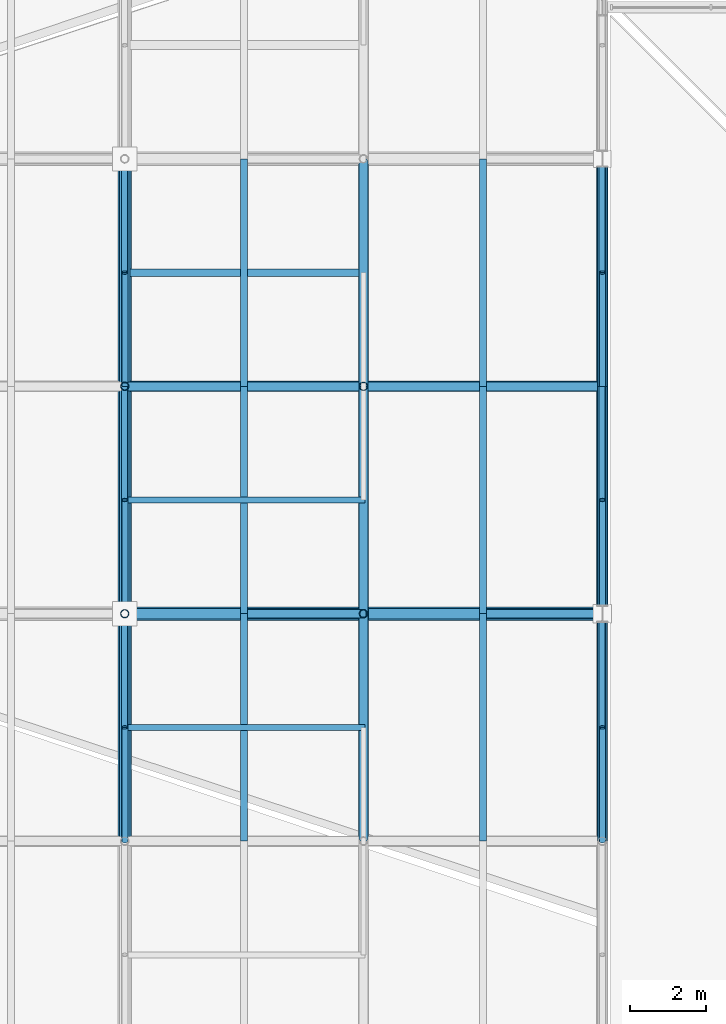
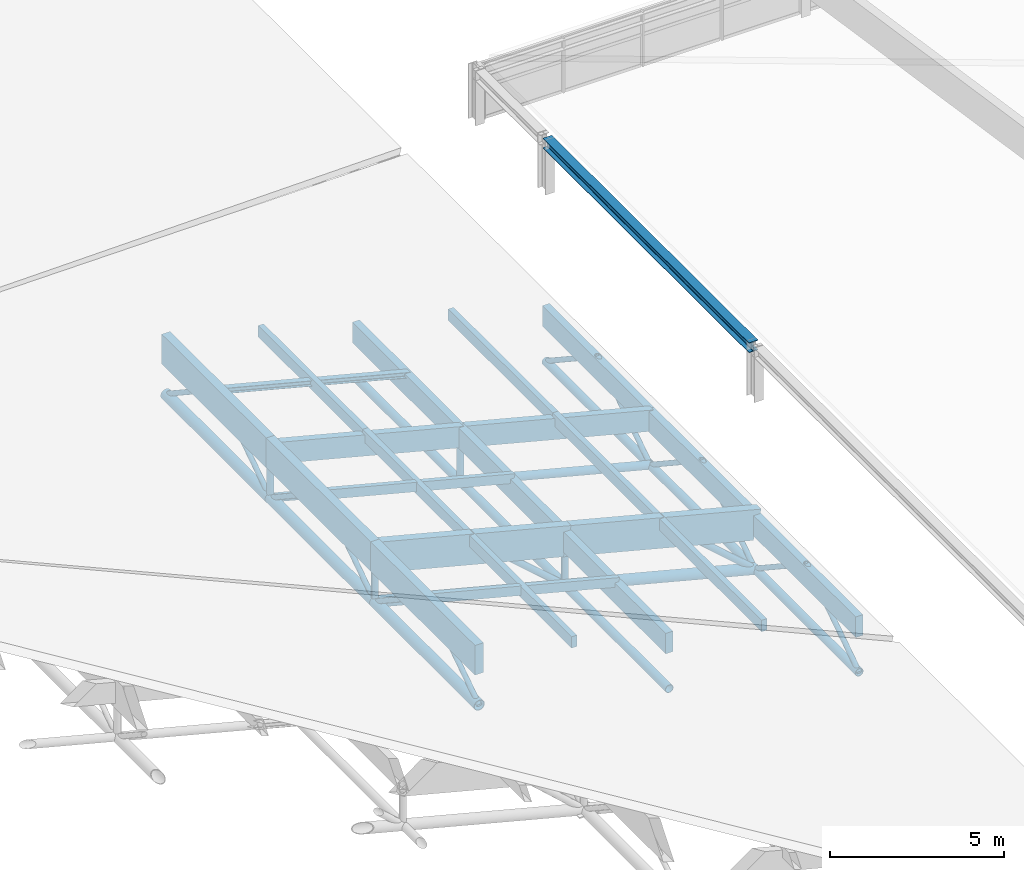
# One storey, part 44 of 80: 53 members, 1 beam.
"""IFC4 building model written with IfcOpenShell, lengths in metres."""

import ifcopenshell
import ifcopenshell.guid

model = None  # the IFC model being written
_history = None  # IfcOwnerHistory: only IFC2X3 demands one
_inside = {}  # id of a spatial element -> (the spatial element, [elements in it])
_under = {}  # id of a project, library or spatial element -> (it, [spatial elements below it])
_declared = {}  # id of a project -> (the project, [libraries it declares])
_typed = {}  # id of a type object -> (the type object, [elements of that type])
_made_of = {}  # id of a material, layer set ... -> (it, [elements and type objects made of it])


def new_model(schema):
    """Start an empty IFC model of exactly this schema.

    Asked for "IFC4X3", IfcOpenShell would pick the latest addendum, in which some entities
    have other attributes; the version numbers below select the first issue.
    IFC2X3 requires an IfcOwnerHistory on every rooted entity: one is made here for all.
    """
    global model, _history
    if schema == "IFC4X3":
        model = ifcopenshell.file(schema_version=(4, 3, 0, 0))
    else:
        model = ifcopenshell.file(schema=schema)
    _inside.clear()
    _under.clear()
    _declared.clear()
    _typed.clear()
    _made_of.clear()
    _history = None
    if model.schema == "IFC2X3":
        org = make("IfcOrganization", Name="unknown")
        user = make(
            "IfcPersonAndOrganization",
            ThePerson=make("IfcPerson", FamilyName="unknown"),
            TheOrganization=org,
        )
        app = make(
            "IfcApplication",
            ApplicationDeveloper=org,
            Version="unknown",
            ApplicationFullName="unknown",
            ApplicationIdentifier="unknown",
        )
        _history = make(
            "IfcOwnerHistory",
            OwningUser=user,
            OwningApplication=app,
            ChangeAction="ADDED",
            CreationDate=0,
        )
    return model


def make(cls, **values):
    """One entity of the class cls with the attributes given. An attribute that is None is left unset."""
    return model.create_entity(
        cls, **{name: value for name, value in values.items() if value is not None}
    )


def rooted(cls, **values):
    """An entity with a GlobalId (a new one), such as an element, a storey or a relation."""
    return make(cls, GlobalId=ifcopenshell.guid.new(), OwnerHistory=_history, **values)


def si_unit(unit_type, name, prefix=None):
    """IfcSIUnit, for example si_unit("LENGTHUNIT", "METRE", prefix="MILLI")."""
    return make("IfcSIUnit", UnitType=unit_type, Prefix=prefix, Name=name)


def assignment(units):
    """IfcUnitAssignment: the units of a project."""
    return None if units is None else make("IfcUnitAssignment", Units=units)


def point(xyz):
    """IfcCartesianPoint."""
    return None if xyz is None else make("IfcCartesianPoint", Coordinates=xyz)


def direction(xyz):
    """IfcDirection."""
    return None if xyz is None else make("IfcDirection", DirectionRatios=xyz)


def frame(location, z_axis=None, x_axis=None):
    """IfcAxis2Placement3D, a coordinate frame: its origin and axes. An axis left out is left unset."""
    return make(
        "IfcAxis2Placement3D",
        Location=point(location),
        Axis=direction(z_axis),
        RefDirection=direction(x_axis),
    )


def frame_2d(location, x_axis=None):
    """IfcAxis2Placement2D, a coordinate frame in the plane: its origin and x axis."""
    return make(
        "IfcAxis2Placement2D", Location=point(location), RefDirection=direction(x_axis)
    )


def origin():
    """The frame at (0, 0, 0) with its axes left unset."""
    return frame((0.0, 0.0, 0.0))


def origin_2d():
    """The frame at (0, 0) in the plane with its x axis left unset."""
    return frame_2d((0.0, 0.0))


def place(relative_to, where):
    """IfcLocalPlacement: puts the frame where relative to a parent placement (None: the world)."""
    return make(
        "IfcLocalPlacement", PlacementRelTo=relative_to, RelativePlacement=where
    )


def context(
    kind, dimensions, precision=None, world=None, true_north=None, identifier=None
):
    """IfcGeometricRepresentationContext, for example the 3D "Model" context."""
    return make(
        "IfcGeometricRepresentationContext",
        ContextIdentifier=identifier,
        ContextType=kind,
        CoordinateSpaceDimension=dimensions,
        Precision=precision,
        WorldCoordinateSystem=world,
        TrueNorth=true_north,
    )


def subcontext(parent, identifier, kind, view, scale=None):
    """IfcGeometricRepresentationSubContext, for example "Body" below "Model"."""
    return make(
        "IfcGeometricRepresentationSubContext",
        ContextIdentifier=identifier,
        ContextType=kind,
        ParentContext=parent,
        TargetScale=scale,
        TargetView=view,
    )


def project(units=None, contexts=None):
    """IfcProject with its units and contexts."""
    return rooted(
        "IfcProject",
        Name="project",
        RepresentationContexts=contexts,
        UnitsInContext=assignment(units),
    )


def spatial(cls, under=None, at=None, **own):
    """A site, building, storey or space (cls), placed at a placement, below another one or the project."""
    s = rooted(cls, ObjectPlacement=at, **own)
    if under is not None:
        _under.setdefault(under.id(), (under, []))[1].append(s)
    return s


def profile(cls, at=None, kind="AREA", **sizes):
    """A parametric profile (cls). Its sizes go by their IFC names, for example OverallWidth=200.0."""
    return make(cls, ProfileType=kind, Position=at, **sizes)


def rectangle(**sizes):
    """IfcRectangleProfileDef."""
    return profile("IfcRectangleProfileDef", **sizes)


def hollow_circle(**sizes):
    """IfcCircleHollowProfileDef."""
    return profile("IfcCircleHollowProfileDef", **sizes)


def i_section(**sizes):
    """IfcIShapeProfileDef."""
    return profile("IfcIShapeProfileDef", **sizes)


def extrude(swept, where, along, depth):
    """IfcExtrudedAreaSolid: the profile swept, set in the frame where, extruded along a direction by depth."""
    return make(
        "IfcExtrudedAreaSolid",
        SweptArea=swept,
        Position=where,
        ExtrudedDirection=direction(along),
        Depth=depth,
    )


def shape(context_of_items, identifier, shape_type, items):
    """IfcShapeRepresentation: the items that make up one representation, for example the "Body"."""
    return make(
        "IfcShapeRepresentation",
        ContextOfItems=context_of_items,
        RepresentationIdentifier=identifier,
        RepresentationType=shape_type,
        Items=items,
    )


def material(Name=None, Category=None):
    """IfcMaterial."""
    return make("IfcMaterial", Name=Name, Category=Category)


def material_profile(
    of_material, cross_section, Name=None, Category=None, Priority=None
):
    """IfcMaterialProfile: a cross section and its material."""
    return make(
        "IfcMaterialProfile",
        Name=Name,
        Material=of_material,
        Profile=cross_section,
        Priority=Priority,
        Category=Category,
    )


def profile_set(profiles, Name=None, composite=None):
    """IfcMaterialProfileSet."""
    return make(
        "IfcMaterialProfileSet",
        Name=Name,
        MaterialProfiles=profiles,
        CompositeProfile=composite,
    )


def made_of(thing, what):
    """Note that an element or type object is made of a material, layer set ...; save() writes the relation."""
    if what is not None:
        _made_of.setdefault(what.id(), (what, []))[1].append(thing)
    return thing


def type_object(cls, material=None, **own):
    """A type object (cls), such as IfcWallType, which elements share."""
    return made_of(rooted(cls, **own), material)


def element(
    cls,
    number,
    at=None,
    inside=None,
    cuts=None,
    type_object=None,
    material=None,
    context=None,
    identifier="Body",
    shape_type=None,
    held_by="IfcProductDefinitionShape",
    body=None,
    shapes=None,
    **own,
):
    """One element of the class cls, such as IfcWall. Its Tag is "e" and its number.

    at: its placement. inside: the storey or other place that contains it. cuts: it is an
    opening in that element (IfcRelVoidsElement). A single representation is given by context,
    identifier, shape_type and body (its items); several are given by shapes. held_by: the class
    of the entity that holds the representations. save() writes the other relations.
    """
    e = rooted(cls, Tag="e%d" % number, ObjectPlacement=at, **own)
    if body is not None:
        shapes = [shape(context, identifier, shape_type, body)]
    if shapes is not None:
        e.Representation = make(held_by, Representations=shapes)
    if inside is not None:
        _inside.setdefault(inside.id(), (inside, []))[1].append(e)
    if cuts is not None:
        rooted(
            "IfcRelVoidsElement", RelatingBuildingElement=cuts, RelatedOpeningElement=e
        )
    if type_object is not None:
        _typed.setdefault(type_object.id(), (type_object, []))[1].append(e)
    return made_of(e, material)


def aggregate(whole, parts):
    """IfcRelAggregates: a whole, such as a stair, and the parts it consists of."""
    return rooted("IfcRelAggregates", RelatingObject=whole, RelatedObjects=parts)


def save(model, path):
    """Write the relations noted so far, then the file.

    IfcRelAggregates (storeys below a building ...), IfcRelContainedInSpatialStructure (elements
    in a storey), IfcRelDefinesByType, IfcRelAssociatesMaterial and IfcRelDeclares: one each for
    every whole, place, type object, material and project.
    """
    for whole, parts in _under.values():
        aggregate(whole, parts)
    for where, things in _inside.values():
        rooted(
            "IfcRelContainedInSpatialStructure",
            RelatedElements=things,
            RelatingStructure=where,
        )
    for kind, things in _typed.values():
        rooted("IfcRelDefinesByType", RelatedObjects=things, RelatingType=kind)
    for what, things in _made_of.values():
        rooted("IfcRelAssociatesMaterial", RelatedObjects=things, RelatingMaterial=what)
    for by, libraries in _declared.values():
        rooted("IfcRelDeclares", RelatingContext=by, RelatedDefinitions=libraries)
    model.write(path)


model = new_model("IFC4")

# Units and contexts
model_context = context("Model", 3, precision=1e-05, world=origin(), true_north=direction((0.0, 1.0)))
body_context = subcontext(model_context, "Body", "Model", "MODEL_VIEW")
ifc_project = project(units=[si_unit("LENGTHUNIT", "METRE"), si_unit("AREAUNIT", "SQUARE_METRE"), si_unit("VOLUMEUNIT", "CUBIC_METRE"), si_unit("PLANEANGLEUNIT", "RADIAN"), si_unit("MASSUNIT", "GRAM", prefix="KILO"), si_unit("THERMODYNAMICTEMPERATUREUNIT", "KELVIN"), si_unit("POWERUNIT", "WATT")], contexts=[model_context])

# Site, building, storey
site_placement = place(None, origin())
site = spatial("IfcSite", under=ifc_project, at=site_placement, CompositionType="ELEMENT")
building_placement = place(site_placement, origin())
building = spatial("IfcBuilding", under=site, at=building_placement, Name="Solmara Park Aquatics Centre", CompositionType="ELEMENT")
storey_placement = place(building_placement, frame((0.0, 0.0, 22.800048828125)))
storey = spatial("IfcBuildingStorey", under=building, at=storey_placement, Name="RF", CompositionType="ELEMENT", Elevation=22.800048828125)

# Beam
ifc_material_1 = material(Name="Structural Steel S355", Category="steel")
ifc_material_profile_1 = material_profile(ifc_material_1, i_section(OverallWidth=0.300048828125, OverallDepth=0.35009765625, WebThickness=0.010009765625, FlangeThickness=0.017578125, FilletRadius=0.027099609375, at=origin_2d()), Name="HEA 360")
ifc_profile_set_1 = profile_set([ifc_material_profile_1], Name="Structural Steel S355")
beam_type = type_object("IfcBeamType", Name="STR-BM-HEA360", PredefinedType="BEAM", material=ifc_profile_set_1)
beam_placement = place(storey_placement, frame((109.199951171875, 36.679931640625, -6.66015625), z_axis=(0.0, 1.0, 0.0), x_axis=(-1.0, 0.0, 0.0)))
element("IfcBeam", 1, at=beam_placement, inside=storey, type_object=beam_type, Name="Diving Clerestory End Ring Beam 109-36", PredefinedType="BEAM", context=body_context, shape_type="SweptSolid", body=[
    extrude(i_section(OverallWidth=0.300048828125, OverallDepth=0.35009765625, WebThickness=0.010009765625, FlangeThickness=0.017578125, FilletRadius=0.027099609375, at=origin_2d()), origin(), (0.0, 0.0, 1.0), 11.840087890625),
])

# Members
ifc_material_profile_2 = material_profile(ifc_material_1, hollow_circle(Radius=0.084228515625, WallThickness=0.008056640625, at=origin_2d()), Name="CHS 168.3x8")
ifc_profile_set_2 = profile_set([ifc_material_profile_2], Name="Structural Steel S355")
member_type_1 = type_object("IfcMemberType", Name="STR-BRC-CHS168", PredefinedType="BRACE", material=ifc_profile_set_2)
for number, where, z_axis, x_axis, name in (
    (2, (96.60009765625, 30.60009765625, -11.141357421875), (0.0, 0.834611904619, 0.550838423377), (-1.0, 0.0, 0.0), "Roof Truss Web Diagonal Y 1973"),
    (3, (96.60009765625, 36.60009765625, -11.141357421875), (0.0, -0.834611904619, 0.550838423377), (1.0, 0.0, 0.0), "Roof Truss Web Diagonal Y 1974"),
    (4, (109.199951171875, 30.60009765625, -14.400146484375), (0.0, 0.834611904619, 0.550838423377), (-1.0, 0.0, 0.0), "Roof Truss Web Diagonal Y 1975"),
    (5, (109.199951171875, 36.60009765625, -14.400146484375), (0.0, -0.834611904619, 0.550838423377), (1.0, 0.0, 0.0), "Roof Truss Web Diagonal Y 1976"),
    (6, (96.60009765625, 36.60009765625, -11.141357421875), (0.0, 0.834611904619, 0.550838423377), (-1.0, 0.0, 0.0), "Roof Truss Web Diagonal Y 2002"),
    (7, (96.60009765625, 42.60009765625, -11.141357421875), (0.0, -0.834611904619, 0.550838423377), (1.0, 0.0, 0.0), "Roof Truss Web Diagonal Y 2003"),
    (8, (109.199951171875, 36.60009765625, -14.400146484375), (0.0, 0.834611904619, 0.550838423377), (-1.0, 0.0, 0.0), "Roof Truss Web Diagonal Y 2004"),
    (9, (109.199951171875, 42.60009765625, -14.400146484375), (0.0, -0.834611904619, 0.550838423377), (1.0, 0.0, 0.0), "Roof Truss Web Diagonal Y 2005"),
    (10, (96.60009765625, 42.60009765625, -11.141357421875), (0.0, 0.834611904619, 0.550838423377), (-1.0, 0.0, 0.0), "Roof Truss Web Diagonal Y 2031"),
    (11, (96.60009765625, 48.60009765625, -11.141357421875), (0.0, -0.834611904619, 0.550838423377), (1.0, 0.0, 0.0), "Roof Truss Web Diagonal Y 2032"),
    (12, (109.199951171875, 42.60009765625, -14.400146484375), (0.0, 0.834611904619, 0.550838423377), (-1.0, 0.0, 0.0), "Roof Truss Web Diagonal Y 2033"),
    (13, (109.199951171875, 48.60009765625, -14.400146484375), (0.0, -0.834611904619, 0.550838423377), (1.0, 0.0, 0.0), "Roof Truss Web Diagonal Y 2034"),
):
    element("IfcMember", number, at=place(storey_placement, frame(where, z_axis=z_axis, x_axis=x_axis)), inside=storey, type_object=member_type_1, Name=name, PredefinedType="BRACE", context=body_context, shape_type="SweptSolid", body=[
        extrude(hollow_circle(Radius=0.084228515625, WallThickness=0.008056640625, at=origin_2d()), origin(), (0.0, 0.0, 1.0), 3.594482421875),
    ])
ifc_material_profile_3 = material_profile(ifc_material_1, hollow_circle(Radius=0.109619140625, WallThickness=0.010009765625, at=origin_2d()), Name="CHS 219.1x10")
ifc_profile_set_3 = profile_set([ifc_material_profile_3], Name="Structural Steel S355")
member_type_2 = type_object("IfcMemberType", Name="STR-BRC-CHS219", PredefinedType="BRACE", material=ifc_profile_set_3)
for number, where, z_axis, x_axis, name in (
    (14, (102.89990234375, 36.60009765625, -12.770751953125), (-0.752757378615, 0.0, 0.658298054791), (0.0, -1.0, 0.0), "Roof Truss Web Diagonal X 1809"),
    (15, (109.199951171875, 36.60009765625, -14.400146484375), (-0.752757378615, 0.0, 0.658298054791), (0.0, -1.0, 0.0), "Roof Truss Web Diagonal X 1833"),
):
    element("IfcMember", number, at=place(storey_placement, frame(where, z_axis=z_axis, x_axis=x_axis)), inside=storey, type_object=member_type_2, Name=name, PredefinedType="BRACE", context=body_context, shape_type="SweptSolid", body=[
        extrude(hollow_circle(Radius=0.109619140625, WallThickness=0.010009765625, at=origin_2d()), origin(), (0.0, 0.0, 1.0), 4.1845703125),
    ])
ifc_material_profile_4 = material_profile(ifc_material_1, hollow_circle(Radius=0.136474609375, WallThickness=0.012451171875, at=origin_2d()), Name="CHS 273x12.5")
ifc_profile_set_4 = profile_set([ifc_material_profile_4], Name="Structural Steel S355")
member_type_3 = type_object("IfcMemberType", Name="STR-CHD-CHS273", PredefinedType="CHORD", material=ifc_profile_set_4)
member_1_placement = place(storey_placement, frame((96.60009765625, 42.60009765625, -11.141357421875), z_axis=(0.968141893543, 0.0, -0.250402224365), x_axis=(0.0, 1.0, 0.0)))
element("IfcMember", 16, at=member_1_placement, inside=storey, type_object=member_type_3, Name="Steel Roof Truss Bottom Chord X 0286", PredefinedType="CHORD", context=body_context, shape_type="SweptSolid", body=[
    extrude(hollow_circle(Radius=0.136474609375, WallThickness=0.012451171875, at=origin_2d()), origin(), (0.0, 0.0, 1.0), 6.507080078125),
])
member_2_placement = place(storey_placement, frame((102.89990234375, 42.60009765625, -12.770751953125), z_axis=(0.968144245908, 0.0, -0.25039312913), x_axis=(0.0, 1.0, 0.0)))
element("IfcMember", 17, at=member_2_placement, inside=storey, type_object=member_type_3, Name="Steel Roof Truss Bottom Chord X 0288", PredefinedType="CHORD", context=body_context, shape_type="SweptSolid", body=[
    extrude(hollow_circle(Radius=0.136474609375, WallThickness=0.012451171875, at=origin_2d()), origin(), (0.0, 0.0, 1.0), 6.50732421875),
])
for number, where, z_axis, x_axis, name in (
    (18, (102.89990234375, 30.60009765625, -12.770751953125), (0.0, 1.0, 0.0), (-1.0, 0.0, 0.0), "Steel Roof Truss Bottom Chord Y 1028"),
    (19, (102.89990234375, 36.60009765625, -12.770751953125), (0.0, 1.0, 0.0), (-1.0, 0.0, 0.0), "Steel Roof Truss Bottom Chord Y 1030"),
    (20, (102.89990234375, 42.60009765625, -12.770751953125), (0.0, 1.0, 0.0), (-1.0, 0.0, 0.0), "Steel Roof Truss Bottom Chord Y 1032"),
    (21, (109.199951171875, 30.60009765625, -14.400146484375), (0.0, 1.0, 0.0), (-1.0, 0.0, 0.0), "Steel Roof Truss Bottom Chord Y 1056"),
    (22, (109.199951171875, 36.60009765625, -14.400146484375), (0.0, 1.0, 0.0), (-1.0, 0.0, 0.0), "Steel Roof Truss Bottom Chord Y 1058"),
    (23, (109.199951171875, 42.60009765625, -14.400146484375), (0.0, 1.0, 0.0), (-1.0, 0.0, 0.0), "Steel Roof Truss Bottom Chord Y 1060"),
):
    element("IfcMember", number, at=place(storey_placement, frame(where, z_axis=z_axis, x_axis=x_axis)), inside=storey, type_object=member_type_3, Name=name, PredefinedType="CHORD", context=body_context, shape_type="SweptSolid", body=[
        extrude(hollow_circle(Radius=0.136474609375, WallThickness=0.012451171875, at=origin_2d()), origin(), (0.0, 0.0, 1.0), 6.0),
    ])
ifc_material_profile_5 = material_profile(ifc_material_1, hollow_circle(Radius=0.177734375, WallThickness=0.01611328125, at=origin_2d()), Name="CHS 355.6x16")
ifc_profile_set_5 = profile_set([ifc_material_profile_5], Name="Structural Steel S355")
member_type_4 = type_object("IfcMemberType", Name="STR-CHD-CHS355", PredefinedType="CHORD", material=ifc_profile_set_5)
member_3_placement = place(storey_placement, frame((96.60009765625, 36.60009765625, -11.141357421875), z_axis=(0.968141893543, 0.0, -0.250402224365), x_axis=(0.0, 1.0, 0.0)))
element("IfcMember", 24, at=member_3_placement, inside=storey, type_object=member_type_4, Name="Steel Roof Truss Bottom Chord X 0250", PredefinedType="CHORD", context=body_context, shape_type="SweptSolid", body=[
    extrude(hollow_circle(Radius=0.177734375, WallThickness=0.01611328125, at=origin_2d()), origin(), (0.0, 0.0, 1.0), 6.507080078125),
])
member_4_placement = place(storey_placement, frame((102.89990234375, 36.60009765625, -12.770751953125), z_axis=(0.968144245908, 0.0, -0.25039312913), x_axis=(0.0, 1.0, 0.0)))
element("IfcMember", 25, at=member_4_placement, inside=storey, type_object=member_type_4, Name="Steel Roof Truss Bottom Chord X 0252", PredefinedType="CHORD", context=body_context, shape_type="SweptSolid", body=[
    extrude(hollow_circle(Radius=0.177734375, WallThickness=0.01611328125, at=origin_2d()), origin(), (0.0, 0.0, 1.0), 6.50732421875),
])
for number, where, z_axis, x_axis, name in (
    (26, (96.60009765625, 30.60009765625, -11.141357421875), (0.0, 1.0, 0.0), (-1.0, 0.0, 0.0), "Steel Roof Truss Bottom Chord Y 1000"),
    (27, (96.60009765625, 36.60009765625, -11.141357421875), (0.0, 1.0, 0.0), (-1.0, 0.0, 0.0), "Steel Roof Truss Bottom Chord Y 1002"),
    (28, (96.60009765625, 42.60009765625, -11.141357421875), (0.0, 1.0, 0.0), (-1.0, 0.0, 0.0), "Steel Roof Truss Bottom Chord Y 1004"),
):
    element("IfcMember", number, at=place(storey_placement, frame(where, z_axis=z_axis, x_axis=x_axis)), inside=storey, type_object=member_type_4, Name=name, PredefinedType="CHORD", context=body_context, shape_type="SweptSolid", body=[
        extrude(hollow_circle(Radius=0.177734375, WallThickness=0.01611328125, at=origin_2d()), origin(), (0.0, 0.0, 1.0), 6.0),
    ])
ifc_material_2 = material(Name="Glulam Timber GL28h", Category="wood")
ifc_material_profile_6 = material_profile(ifc_material_2, rectangle(XDim=0.239990234375, YDim=0.719970703125, at=origin_2d()), Name="GL28h 240x720")
ifc_profile_set_6 = profile_set([ifc_material_profile_6], Name="Glulam Timber GL28h")
member_type_5 = type_object("IfcMemberType", Name="STR-CHD-GL240x720", PredefinedType="CHORD", material=ifc_profile_set_6)
member_5_placement = place(storey_placement, frame((96.60009765625, 42.60009765625, -9.521484375), z_axis=(0.968150988544, 0.0, -0.250367057299), x_axis=(0.0, 1.0, 0.0)))
element("IfcMember", 29, at=member_5_placement, inside=storey, type_object=member_type_5, Name="Glulam Roof Truss Top Chord X 0285", PredefinedType="CHORD", context=body_context, shape_type="SweptSolid", body=[
    extrude(rectangle(XDim=0.239990234375, YDim=0.719970703125, at=origin_2d()), origin(), (0.0, 0.0, 1.0), 6.507080078125),
])
member_6_placement = place(storey_placement, frame((102.89990234375, 42.60009765625, -11.150634765625), z_axis=(0.968144245908, 0.0, -0.25039312913), x_axis=(0.0, 1.0, 0.0)))
element("IfcMember", 30, at=member_6_placement, inside=storey, type_object=member_type_5, Name="Glulam Roof Truss Top Chord X 0287", PredefinedType="CHORD", context=body_context, shape_type="SweptSolid", body=[
    extrude(rectangle(XDim=0.239990234375, YDim=0.719970703125, at=origin_2d()), origin(), (0.0, 0.0, 1.0), 6.50732421875),
])
for number, where, z_axis, x_axis, name in (
    (31, (102.89990234375, 30.60009765625, -11.150634765625), (0.0, 1.0, 0.0), (-1.0, 0.0, 0.0), "Glulam Roof Truss Top Chord Y 1027"),
    (32, (102.89990234375, 36.60009765625, -11.150634765625), (0.0, 1.0, 0.0), (-1.0, 0.0, 0.0), "Glulam Roof Truss Top Chord Y 1029"),
    (33, (102.89990234375, 42.60009765625, -11.150634765625), (0.0, 1.0, 0.0), (-1.0, 0.0, 0.0), "Glulam Roof Truss Top Chord Y 1031"),
    (34, (109.199951171875, 30.60009765625, -12.780029296875), (0.0, 1.0, 0.0), (-1.0, 0.0, 0.0), "Glulam Roof Truss Top Chord Y 1055"),
    (35, (109.199951171875, 36.60009765625, -12.780029296875), (0.0, 1.0, 0.0), (-1.0, 0.0, 0.0), "Glulam Roof Truss Top Chord Y 1057"),
    (36, (109.199951171875, 42.60009765625, -12.780029296875), (0.0, 1.0, 0.0), (-1.0, 0.0, 0.0), "Glulam Roof Truss Top Chord Y 1059"),
):
    element("IfcMember", number, at=place(storey_placement, frame(where, z_axis=z_axis, x_axis=x_axis)), inside=storey, type_object=member_type_5, Name=name, PredefinedType="CHORD", context=body_context, shape_type="SweptSolid", body=[
        extrude(rectangle(XDim=0.239990234375, YDim=0.719970703125, at=origin_2d()), origin(), (0.0, 0.0, 1.0), 6.0),
    ])
ifc_material_profile_7 = material_profile(ifc_material_2, rectangle(XDim=0.280029296875, YDim=1.0400390625, at=origin_2d()), Name="GL28h 280x1040")
ifc_profile_set_7 = profile_set([ifc_material_profile_7], Name="Glulam Timber GL28h")
member_type_6 = type_object("IfcMemberType", Name="STR-CHD-GL280x1040", PredefinedType="CHORD", material=ifc_profile_set_7)
member_7_placement = place(storey_placement, frame((96.60009765625, 36.60009765625, -9.521484375), z_axis=(0.968150988544, 0.0, -0.250367057299), x_axis=(0.0, 1.0, 0.0)))
element("IfcMember", 37, at=member_7_placement, inside=storey, type_object=member_type_6, Name="Glulam Roof Truss Top Chord X 0249", PredefinedType="CHORD", context=body_context, shape_type="SweptSolid", body=[
    extrude(rectangle(XDim=0.280029296875, YDim=1.0400390625, at=origin_2d()), origin(), (0.0, 0.0, 1.0), 6.507080078125),
])
member_8_placement = place(storey_placement, frame((102.89990234375, 36.60009765625, -11.150634765625), z_axis=(0.968144245908, 0.0, -0.25039312913), x_axis=(0.0, 1.0, 0.0)))
element("IfcMember", 38, at=member_8_placement, inside=storey, type_object=member_type_6, Name="Glulam Roof Truss Top Chord X 0251", PredefinedType="CHORD", context=body_context, shape_type="SweptSolid", body=[
    extrude(rectangle(XDim=0.280029296875, YDim=1.0400390625, at=origin_2d()), origin(), (0.0, 0.0, 1.0), 6.50732421875),
])
for number, where, z_axis, x_axis, name in (
    (39, (96.60009765625, 30.60009765625, -9.521484375), (0.0, 1.0, 0.0), (-1.0, 0.0, 0.0), "Glulam Roof Truss Top Chord Y 0999"),
    (40, (96.60009765625, 36.60009765625, -9.521484375), (0.0, 1.0, 0.0), (-1.0, 0.0, 0.0), "Glulam Roof Truss Top Chord Y 1001"),
    (41, (96.60009765625, 42.60009765625, -9.521484375), (0.0, 1.0, 0.0), (-1.0, 0.0, 0.0), "Glulam Roof Truss Top Chord Y 1003"),
):
    element("IfcMember", number, at=place(storey_placement, frame(where, z_axis=z_axis, x_axis=x_axis)), inside=storey, type_object=member_type_6, Name=name, PredefinedType="CHORD", context=body_context, shape_type="SweptSolid", body=[
        extrude(rectangle(XDim=0.280029296875, YDim=1.0400390625, at=origin_2d()), origin(), (0.0, 0.0, 1.0), 6.0),
    ])
ifc_material_profile_8 = material_profile(ifc_material_2, rectangle(XDim=0.159912109375, YDim=0.320068359375, at=origin_2d()), Name="GL28h 160x320")
ifc_profile_set_8 = profile_set([ifc_material_profile_8], Name="Glulam Timber GL28h")
member_type_7 = type_object("IfcMemberType", Name="STR-PRL-GL160x320", PredefinedType="PURLIN", material=ifc_profile_set_8)
for number, where, z_axis, x_axis, name in (
    (42, (96.60009765625, 33.60009765625, -9.181396484375), (0.968141893543, 0.0, -0.250402224365), (0.0, 1.0, 0.0), "Glulam Secondary Roof Purlin 1960"),
    (43, (96.60009765625, 39.60009765625, -9.181396484375), (0.968141893543, 0.0, -0.250402224365), (0.0, 1.0, 0.0), "Glulam Secondary Roof Purlin 1985"),
):
    element("IfcMember", number, at=place(storey_placement, frame(where, z_axis=z_axis, x_axis=x_axis)), inside=storey, type_object=member_type_7, Name=name, PredefinedType="PURLIN", context=body_context, shape_type="SweptSolid", body=[
        extrude(rectangle(XDim=0.159912109375, YDim=0.320068359375, at=origin_2d()), origin(), (0.0, 0.0, 1.0), 6.507080078125),
    ])
ifc_material_profile_9 = material_profile(ifc_material_2, rectangle(XDim=0.179931640625, YDim=0.39990234375, at=origin_2d()), Name="GL28h 180x400")
ifc_profile_set_9 = profile_set([ifc_material_profile_9], Name="Glulam Timber GL28h")
member_type_8 = type_object("IfcMemberType", Name="STR-PRL-GL180x400", PredefinedType="PURLIN", material=ifc_profile_set_9)
for number, where, z_axis, x_axis, name in (
    (44, (99.75, 30.60009765625, -10.01611328125), (0.0, 1.0, 0.0), (-1.0, 0.0, 0.0), "Glulam Roof Purlin 1796"),
    (45, (99.75, 36.60009765625, -10.01611328125), (0.0, 1.0, 0.0), (-1.0, 0.0, 0.0), "Glulam Roof Purlin 1797"),
    (46, (99.75, 42.60009765625, -10.01611328125), (0.0, 1.0, 0.0), (-1.0, 0.0, 0.0), "Glulam Roof Purlin 1798"),
    (47, (106.050048828125, 30.60009765625, -11.6455078125), (0.0, 1.0, 0.0), (-1.0, 0.0, 0.0), "Glulam Roof Purlin 1820"),
    (48, (106.050048828125, 36.60009765625, -11.6455078125), (0.0, 1.0, 0.0), (-1.0, 0.0, 0.0), "Glulam Roof Purlin 1821"),
    (49, (106.050048828125, 42.60009765625, -11.6455078125), (0.0, 1.0, 0.0), (-1.0, 0.0, 0.0), "Glulam Roof Purlin 1822"),
):
    element("IfcMember", number, at=place(storey_placement, frame(where, z_axis=z_axis, x_axis=x_axis)), inside=storey, type_object=member_type_8, Name=name, PredefinedType="PURLIN", context=body_context, shape_type="SweptSolid", body=[
        extrude(rectangle(XDim=0.179931640625, YDim=0.39990234375, at=origin_2d()), origin(), (0.0, 0.0, 1.0), 6.0),
    ])
ifc_material_profile_10 = material_profile(ifc_material_1, i_section(OverallWidth=0.199951171875, OverallDepth=0.18994140625, WebThickness=0.006591796875, FlangeThickness=0.010009765625, FilletRadius=0.01806640625, at=origin_2d()), Name="HEA 200")
ifc_profile_set_10 = profile_set([ifc_material_profile_10], Name="Structural Steel S355")
member_type_9 = type_object("IfcMemberType", Name="STR-PRL-HEA200", PredefinedType="PURLIN", material=ifc_profile_set_10)
member_9_placement = place(storey_placement, frame((96.60009765625, 45.60009765625, -9.181396484375), z_axis=(0.968141893543, 0.0, -0.250402224365), x_axis=(0.0, 1.0, 0.0)))
element("IfcMember", 50, at=member_9_placement, inside=storey, type_object=member_type_9, Name="Glulam Secondary Roof Purlin 2014", PredefinedType="PURLIN", context=body_context, shape_type="SweptSolid", body=[
    extrude(i_section(OverallWidth=0.199951171875, OverallDepth=0.18994140625, WebThickness=0.006591796875, FlangeThickness=0.010009765625, FilletRadius=0.01806640625, at=origin_2d()), origin(), (0.0, 0.0, 1.0), 6.507080078125),
])
ifc_material_profile_11 = material_profile(ifc_material_1, hollow_circle(Radius=0.109619140625, WallThickness=0.010009765625, at=origin_2d()), Name="CHS 219.1x10")
ifc_profile_set_11 = profile_set([ifc_material_profile_11], Name="Structural Steel S355")
member_type_10 = type_object("IfcMemberType", Name="STR-PST-CHS219", PredefinedType="POST", material=ifc_profile_set_11)
for number, where, z_axis, x_axis, name in (
    (51, (96.60009765625, 36.60009765625, -11.141357421875), (0.0, 0.0, 1.0), (1.0, 0.0, 0.0), "Roof Truss Web Post 1312"),
    (52, (96.60009765625, 42.60009765625, -11.141357421875), (0.0, 0.0, 1.0), (1.0, 0.0, 0.0), "Roof Truss Web Post 1313"),
):
    element("IfcMember", number, at=place(storey_placement, frame(where, z_axis=z_axis, x_axis=x_axis)), inside=storey, type_object=member_type_10, Name=name, PredefinedType="POST", context=body_context, shape_type="SweptSolid", body=[
        extrude(hollow_circle(Radius=0.109619140625, WallThickness=0.010009765625, at=origin_2d()), origin(), (0.0, 0.0, 1.0), 1.619873046875),
    ])
for number, where, z_axis, x_axis, name in (
    (53, (102.89990234375, 36.60009765625, -12.770751953125), (0.0, 0.0, 1.0), (1.0, 0.0, 0.0), "Roof Truss Web Post 1327"),
    (54, (102.89990234375, 42.60009765625, -12.770751953125), (0.0, 0.0, 1.0), (1.0, 0.0, 0.0), "Roof Truss Web Post 1328"),
):
    element("IfcMember", number, at=place(storey_placement, frame(where, z_axis=z_axis, x_axis=x_axis)), inside=storey, type_object=member_type_10, Name=name, PredefinedType="POST", context=body_context, shape_type="SweptSolid", body=[
        extrude(hollow_circle(Radius=0.109619140625, WallThickness=0.010009765625, at=origin_2d()), origin(), (0.0, 0.0, 1.0), 1.6201171875),
    ])

save(model, "model.ifc")
